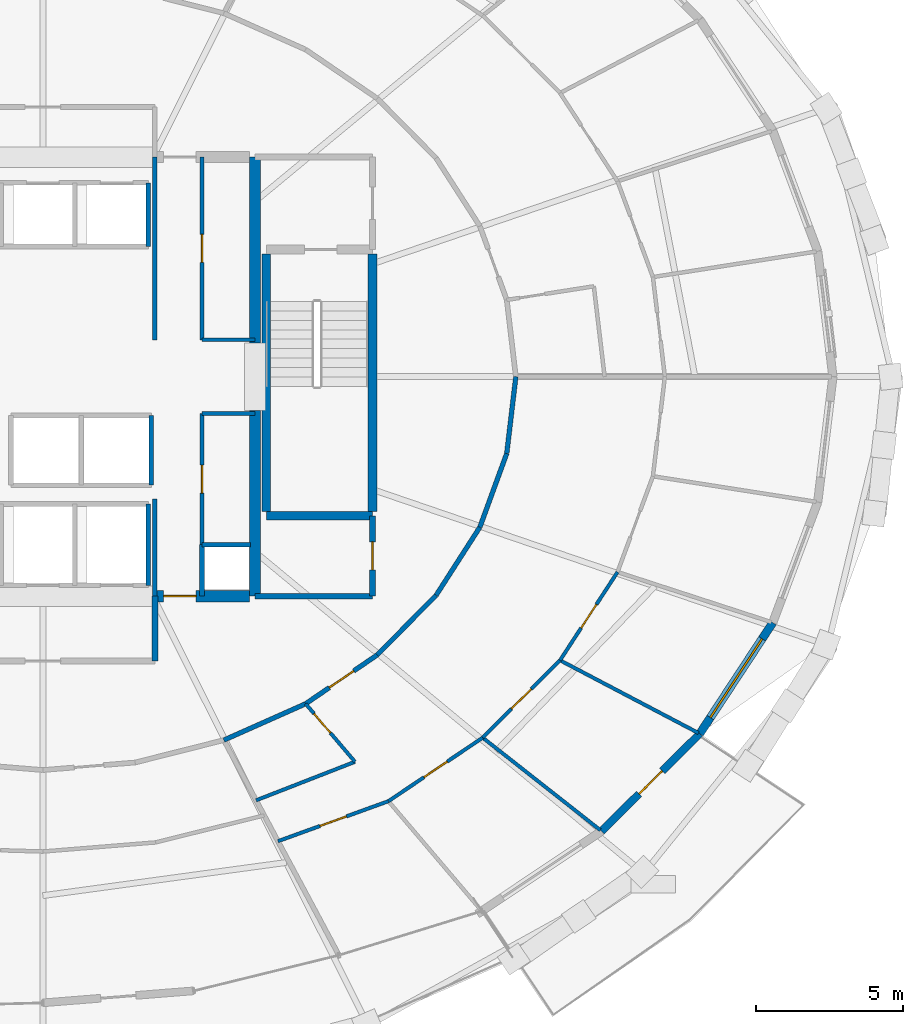
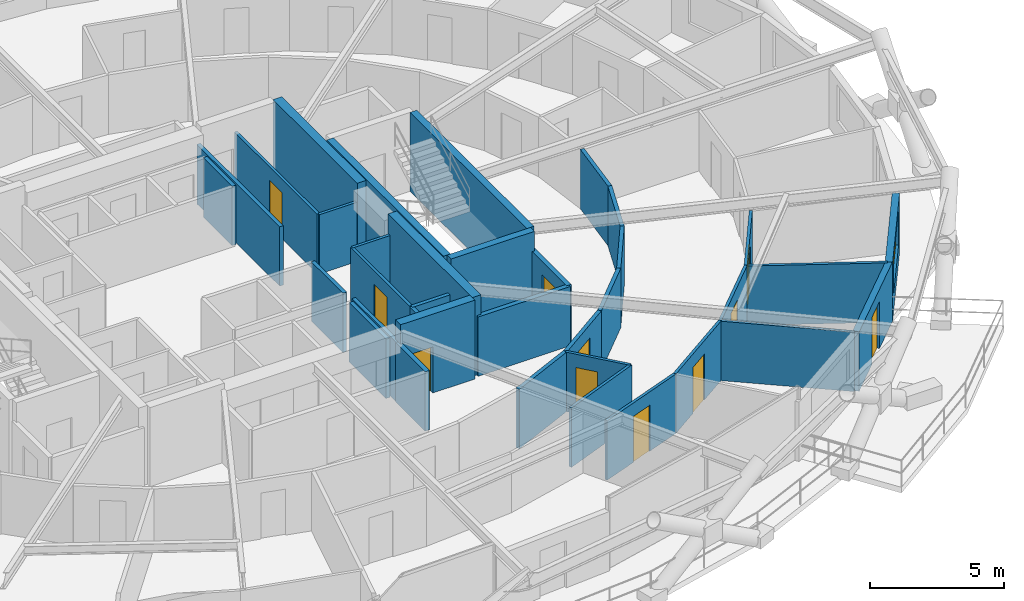
# One storey, part 9 of 14: 36 walls, 11 doors, 1 window, 12 openings.
"""IFC4 building model written with IfcOpenShell, lengths in metres."""

import ifcopenshell
import ifcopenshell.guid

model = None  # the IFC model being written
_history = None  # IfcOwnerHistory: only IFC2X3 demands one
_inside = {}  # id of a spatial element -> (the spatial element, [elements in it])
_under = {}  # id of a project, library or spatial element -> (it, [spatial elements below it])
_declared = {}  # id of a project -> (the project, [libraries it declares])
_typed = {}  # id of a type object -> (the type object, [elements of that type])
_made_of = {}  # id of a material, layer set ... -> (it, [elements and type objects made of it])


def new_model(schema):
    """Start an empty IFC model of exactly this schema.

    Asked for "IFC4X3", IfcOpenShell would pick the latest addendum, in which some entities
    have other attributes; the version numbers below select the first issue.
    IFC2X3 requires an IfcOwnerHistory on every rooted entity: one is made here for all.
    """
    global model, _history
    if schema == "IFC4X3":
        model = ifcopenshell.file(schema_version=(4, 3, 0, 0))
    else:
        model = ifcopenshell.file(schema=schema)
    _inside.clear()
    _under.clear()
    _declared.clear()
    _typed.clear()
    _made_of.clear()
    _history = None
    if model.schema == "IFC2X3":
        org = make("IfcOrganization", Name="unknown")
        user = make(
            "IfcPersonAndOrganization",
            ThePerson=make("IfcPerson", FamilyName="unknown"),
            TheOrganization=org,
        )
        app = make(
            "IfcApplication",
            ApplicationDeveloper=org,
            Version="unknown",
            ApplicationFullName="unknown",
            ApplicationIdentifier="unknown",
        )
        _history = make(
            "IfcOwnerHistory",
            OwningUser=user,
            OwningApplication=app,
            ChangeAction="ADDED",
            CreationDate=0,
        )
    return model


def make(cls, **values):
    """One entity of the class cls with the attributes given. An attribute that is None is left unset."""
    return model.create_entity(
        cls, **{name: value for name, value in values.items() if value is not None}
    )


def rooted(cls, **values):
    """An entity with a GlobalId (a new one), such as an element, a storey or a relation."""
    return make(cls, GlobalId=ifcopenshell.guid.new(), OwnerHistory=_history, **values)


def si_unit(unit_type, name, prefix=None):
    """IfcSIUnit, for example si_unit("LENGTHUNIT", "METRE", prefix="MILLI")."""
    return make("IfcSIUnit", UnitType=unit_type, Prefix=prefix, Name=name)


def assignment(units):
    """IfcUnitAssignment: the units of a project."""
    return None if units is None else make("IfcUnitAssignment", Units=units)


def point(xyz):
    """IfcCartesianPoint."""
    return None if xyz is None else make("IfcCartesianPoint", Coordinates=xyz)


def direction(xyz):
    """IfcDirection."""
    return None if xyz is None else make("IfcDirection", DirectionRatios=xyz)


def frame(location, z_axis=None, x_axis=None):
    """IfcAxis2Placement3D, a coordinate frame: its origin and axes. An axis left out is left unset."""
    return make(
        "IfcAxis2Placement3D",
        Location=point(location),
        Axis=direction(z_axis),
        RefDirection=direction(x_axis),
    )


def frame_2d(location, x_axis=None):
    """IfcAxis2Placement2D, a coordinate frame in the plane: its origin and x axis."""
    return make(
        "IfcAxis2Placement2D", Location=point(location), RefDirection=direction(x_axis)
    )


def origin():
    """The frame at (0, 0, 0) with its axes left unset."""
    return frame((0.0, 0.0, 0.0))


def place(relative_to, where):
    """IfcLocalPlacement: puts the frame where relative to a parent placement (None: the world)."""
    return make(
        "IfcLocalPlacement", PlacementRelTo=relative_to, RelativePlacement=where
    )


def context(
    kind, dimensions, precision=None, world=None, true_north=None, identifier=None
):
    """IfcGeometricRepresentationContext, for example the 3D "Model" context."""
    return make(
        "IfcGeometricRepresentationContext",
        ContextIdentifier=identifier,
        ContextType=kind,
        CoordinateSpaceDimension=dimensions,
        Precision=precision,
        WorldCoordinateSystem=world,
        TrueNorth=true_north,
    )


def subcontext(parent, identifier, kind, view, scale=None):
    """IfcGeometricRepresentationSubContext, for example "Body" below "Model"."""
    return make(
        "IfcGeometricRepresentationSubContext",
        ContextIdentifier=identifier,
        ContextType=kind,
        ParentContext=parent,
        TargetScale=scale,
        TargetView=view,
    )


def project(units=None, contexts=None):
    """IfcProject with its units and contexts."""
    return rooted(
        "IfcProject",
        Name="project",
        RepresentationContexts=contexts,
        UnitsInContext=assignment(units),
    )


def spatial(cls, under=None, at=None, **own):
    """A site, building, storey or space (cls), placed at a placement, below another one or the project."""
    s = rooted(cls, ObjectPlacement=at, **own)
    if under is not None:
        _under.setdefault(under.id(), (under, []))[1].append(s)
    return s


def profile(cls, at=None, kind="AREA", **sizes):
    """A parametric profile (cls). Its sizes go by their IFC names, for example OverallWidth=200.0."""
    return make(cls, ProfileType=kind, Position=at, **sizes)


def rectangle(**sizes):
    """IfcRectangleProfileDef."""
    return profile("IfcRectangleProfileDef", **sizes)


def extrude(swept, where, along, depth):
    """IfcExtrudedAreaSolid: the profile swept, set in the frame where, extruded along a direction by depth."""
    return make(
        "IfcExtrudedAreaSolid",
        SweptArea=swept,
        Position=where,
        ExtrudedDirection=direction(along),
        Depth=depth,
    )


def shape(context_of_items, identifier, shape_type, items):
    """IfcShapeRepresentation: the items that make up one representation, for example the "Body"."""
    return make(
        "IfcShapeRepresentation",
        ContextOfItems=context_of_items,
        RepresentationIdentifier=identifier,
        RepresentationType=shape_type,
        Items=items,
    )


def material(Name=None, Category=None):
    """IfcMaterial."""
    return make("IfcMaterial", Name=Name, Category=Category)


def layer(
    of_material, thickness, ventilated=None, Name=None, Category=None, Priority=None
):
    """IfcMaterialLayer: one layer of a wall or slab, of a material (None: an air gap)."""
    return make(
        "IfcMaterialLayer",
        Material=of_material,
        LayerThickness=thickness,
        IsVentilated=ventilated,
        Name=Name,
        Category=Category,
        Priority=Priority,
    )


def layer_set(layers, Name=None):
    """IfcMaterialLayerSet."""
    return make("IfcMaterialLayerSet", MaterialLayers=layers, LayerSetName=Name)


def made_of(thing, what):
    """Note that an element or type object is made of a material, layer set ...; save() writes the relation."""
    if what is not None:
        _made_of.setdefault(what.id(), (what, []))[1].append(thing)
    return thing


def type_object(cls, material=None, **own):
    """A type object (cls), such as IfcWallType, which elements share."""
    return made_of(rooted(cls, **own), material)


def element(
    cls,
    number,
    at=None,
    inside=None,
    cuts=None,
    type_object=None,
    material=None,
    context=None,
    identifier="Body",
    shape_type=None,
    held_by="IfcProductDefinitionShape",
    body=None,
    shapes=None,
    **own,
):
    """One element of the class cls, such as IfcWall. Its Tag is "e" and its number.

    at: its placement. inside: the storey or other place that contains it. cuts: it is an
    opening in that element (IfcRelVoidsElement). A single representation is given by context,
    identifier, shape_type and body (its items); several are given by shapes. held_by: the class
    of the entity that holds the representations. save() writes the other relations.
    """
    e = rooted(cls, Tag="e%d" % number, ObjectPlacement=at, **own)
    if body is not None:
        shapes = [shape(context, identifier, shape_type, body)]
    if shapes is not None:
        e.Representation = make(held_by, Representations=shapes)
    if inside is not None:
        _inside.setdefault(inside.id(), (inside, []))[1].append(e)
    if cuts is not None:
        rooted(
            "IfcRelVoidsElement", RelatingBuildingElement=cuts, RelatedOpeningElement=e
        )
    if type_object is not None:
        _typed.setdefault(type_object.id(), (type_object, []))[1].append(e)
    return made_of(e, material)


def fill(opening, filler):
    """IfcRelFillsElement: the door or window that sits in an opening."""
    return rooted(
        "IfcRelFillsElement",
        RelatingOpeningElement=opening,
        RelatedBuildingElement=filler,
    )


def aggregate(whole, parts):
    """IfcRelAggregates: a whole, such as a stair, and the parts it consists of."""
    return rooted("IfcRelAggregates", RelatingObject=whole, RelatedObjects=parts)


def save(model, path):
    """Write the relations noted so far, then the file.

    IfcRelAggregates (storeys below a building ...), IfcRelContainedInSpatialStructure (elements
    in a storey), IfcRelDefinesByType, IfcRelAssociatesMaterial and IfcRelDeclares: one each for
    every whole, place, type object, material and project.
    """
    for whole, parts in _under.values():
        aggregate(whole, parts)
    for where, things in _inside.values():
        rooted(
            "IfcRelContainedInSpatialStructure",
            RelatedElements=things,
            RelatingStructure=where,
        )
    for kind, things in _typed.values():
        rooted("IfcRelDefinesByType", RelatedObjects=things, RelatingType=kind)
    for what, things in _made_of.values():
        rooted("IfcRelAssociatesMaterial", RelatedObjects=things, RelatingMaterial=what)
    for by, libraries in _declared.values():
        rooted("IfcRelDeclares", RelatingContext=by, RelatedDefinitions=libraries)
    model.write(path)


model = new_model("IFC4")

# Units and contexts
model_context = context("Model", 3, precision=1e-05, world=origin(), true_north=direction((0.0, 1.0)))
body_context = subcontext(model_context, "Body", "Model", "MODEL_VIEW")
ifc_project = project(units=[si_unit("LENGTHUNIT", "METRE"), si_unit("AREAUNIT", "SQUARE_METRE"), si_unit("VOLUMEUNIT", "CUBIC_METRE"), si_unit("PLANEANGLEUNIT", "RADIAN"), si_unit("MASSUNIT", "GRAM", prefix="KILO")], contexts=[model_context])

# Site, building, storey
site_placement = place(None, origin())
site = spatial("IfcSite", under=ifc_project, at=site_placement, CompositionType="ELEMENT")
building_placement = place(site_placement, origin())
building = spatial("IfcBuilding", under=site, at=building_placement, Name="Veldorina Hangang Commons", CompositionType="ELEMENT")
storey_placement = place(building_placement, frame((0.0, 0.0, 62.800048828125)))
storey = spatial("IfcBuildingStorey", under=building, at=storey_placement, Name="L15", CompositionType="ELEMENT", Elevation=62.800048828125)

# Walls
ifc_material_1 = material(Name="Concrete C70/85", Category="concrete")
ifc_layer_1 = layer(ifc_material_1, 0.3798828125)
ifc_layer_set_1 = layer_set([ifc_layer_1], Name="Concrete C70/85")
wall_type_1 = type_object("IfcWallType", Name="CW-RC380-C70", PredefinedType="SHEAR", material=ifc_layer_set_1)
for number, where, z_axis, x_axis, name in (
    (1, (39.199951171875, 16.550048828125, 0.0), (0.0, 0.0, 1.0), (0.0, 1.0, 0.0), "L15 E south core shear wall"),
    (2, (39.199951171875, 25.14990234375, 0.0), (0.0, 0.0, 1.0), (0.0, 1.0, 0.0), "L15 E north core shear wall"),
):
    element("IfcWall", number, at=place(storey_placement, frame(where, z_axis=z_axis, x_axis=x_axis)), inside=storey, type_object=wall_type_1, Name=name, PredefinedType="SHEAR", context=body_context, shape_type="SweptSolid", body=[
        extrude(rectangle(XDim=6.300048828125, YDim=0.3798828125, at=frame_2d((3.14990234375, 0.0))), origin(), (0.0, 0.0, 1.0), 3.599853515625),
    ])

# Wall, opening, door
wall_1_placement = place(storey_placement, frame((35.800048828125, 16.550048828125, 0.0), z_axis=(0.0, 0.0, 1.0), x_axis=(1.0, 0.0, 0.0)))
wall_1 = element("IfcWall", 3, at=wall_1_placement, inside=storey, type_object=wall_type_1, Name="L15 south-east core shear wall", PredefinedType="SHEAR", context=body_context, shape_type="SweptSolid", body=[
    extrude(rectangle(XDim=3.2099609375, YDim=0.3798828125, at=frame_2d((1.60498046875, 0.0))), origin(), (0.0, 0.0, 1.0), 3.599853515625),
])
opening_1_placement = place(wall_1_placement, frame((0.300048828125, 0.0, 0.0)))
opening_1 = element("IfcOpeningElement", 4, at=opening_1_placement, cuts=wall_1, Name="Opening D-08", PredefinedType="OPENING", context=body_context, shape_type="SweptSolid", body=[
    extrude(rectangle(XDim=1.10009765625, YDim=2.10009765625, at=frame_2d((0.550048828125, 1.050048828125))), frame((0.0, 0.199951171875, 0.0), z_axis=(0.0, -1.0, 0.0), x_axis=(1.0, 0.0, 0.0)), (0.0, 0.0, 1.0), 0.39990234375),
])
ifc_material_2 = material(Name="Steel Fire-Rated Smoke Seal", Category="steel")
door_type_1 = type_object("IfcDoorType", Name="DR-FIRE-1100", OperationType="SINGLE_SWING_RIGHT", PredefinedType="DOOR", material=ifc_material_2)
door_1_placement = place(opening_1_placement, origin())
door_1 = element("IfcDoor", 5, at=door_1_placement, inside=storey, type_object=door_type_1, Name="L15 central lift lobby south corridor door", OperationType="SINGLE_SWING_RIGHT", OverallHeight=2.10009765625, OverallWidth=1.10009765625, PredefinedType="DOOR", context=body_context, shape_type="SweptSolid", body=[
    extrude(rectangle(XDim=1.10009765625, YDim=2.10009765625, at=frame_2d((0.550048828125, 1.050048828125))), frame((0.0, 0.02490234375, 0.0), z_axis=(0.0, -1.0, 0.0), x_axis=(1.0, 0.0, 0.0)), (0.0, 0.0, 1.0), 0.050048828125),
])
fill(opening_1, door_1)

ifc_material_3 = material(Name="Stone Roman Travertine", Category="masonry")
ifc_layer_2 = layer(ifc_material_3, 0.260009765625)
ifc_layer_set_2 = layer_set([ifc_layer_2], Name="Stone Roman Travertine")
wall_type_2 = type_object("IfcWallType", Name="EW-LOGGIA-260", PredefinedType="STANDARD", material=ifc_layer_set_2)
wall_2_placement = place(storey_placement, frame((50.95751953125, 8.577880859375, 0.0), z_axis=(0.0, 0.0, 1.0), x_axis=(0.710194142887, 0.704005880238, 0.0)))
wall_2 = element("IfcWall", 6, at=wall_2_placement, inside=storey, type_object=wall_type_2, Name="L15 sky-garden loggia portal wall 28", PredefinedType="STANDARD", context=body_context, shape_type="SweptSolid", body=[
    extrude(rectangle(XDim=4.69482421875, YDim=0.260009765625, at=frame_2d((2.347412109375, 0.0))), origin(), (0.0, 0.0, 1.0), 2.7099609375),
])
opening_2_placement = place(wall_2_placement, frame((1.79736328125, 0.0, 0.0)))
opening_2 = element("IfcOpeningElement", 7, at=opening_2_placement, cuts=wall_2, Name="Opening BD-1100", PredefinedType="OPENING", context=body_context, shape_type="SweptSolid", body=[
    extrude(rectangle(XDim=1.10009765625, YDim=2.14990234375, at=frame_2d((0.550048828125, 1.074951171875))), frame((0.0, 0.14013671875, 0.0), z_axis=(0.0, -1.0, 0.0), x_axis=(1.0, 0.0, 0.0)), (0.0, 0.0, 1.0), 0.280029296875),
])
ifc_material_4 = material(Name="Glass Thermal Aluminium Frame", Category="aluminium")
door_type_2 = type_object("IfcDoorType", Name="DR-EXT-BAL1100", OperationType="SINGLE_SWING_RIGHT", PredefinedType="DOOR", material=ifc_material_4)
door_2_placement = place(opening_2_placement, origin())
door_2 = element("IfcDoor", 8, at=door_2_placement, inside=storey, type_object=door_type_2, Name="L15 tree balcony glazed exterior door 28", OperationType="SINGLE_SWING_LEFT", OverallHeight=2.14990234375, OverallWidth=1.10009765625, PredefinedType="DOOR", context=body_context, shape_type="SweptSolid", body=[
    extrude(rectangle(XDim=1.10009765625, YDim=2.14990234375, at=frame_2d((0.550048828125, 1.074951171875))), frame((0.0, 0.02490234375, 0.0), z_axis=(0.0, -1.0, 0.0), x_axis=(1.0, 0.0, 0.0)), (0.0, 0.0, 1.0), 0.050048828125),
])
fill(opening_2, door_2)

# Wall, opening, window
ifc_layer_3 = layer(ifc_material_3, 0.280029296875)
ifc_layer_set_3 = layer_set([ifc_layer_3], Name="Stone Roman Travertine")
wall_type_3 = type_object("IfcWallType", Name="EW-TRAV-280", PredefinedType="STANDARD", material=ifc_layer_set_3)
wall_3_placement = place(storey_placement, frame((54.291748046875, 11.883056640625, 0.0), z_axis=(0.0, 0.0, 1.0), x_axis=(0.54914333256, 0.835728185659, 0.0)))
wall_3 = element("IfcWall", 9, at=wall_3_placement, inside=storey, type_object=wall_type_3, Name="L15 travertine facade wall 29", PredefinedType="STANDARD", context=body_context, shape_type="SweptSolid", body=[
    extrude(rectangle(XDim=4.51171875, YDim=0.280029296875, at=frame_2d((2.255859375, 0.0))), origin(), (0.0, 0.0, 1.0), 2.7099609375),
])
opening_3_placement = place(wall_3_placement, frame((0.65576171875, 0.0, 0.800048828125)))
opening_3 = element("IfcOpeningElement", 10, at=opening_3_placement, cuts=wall_3, Name="Opening W-01", PredefinedType="OPENING", context=body_context, shape_type="SweptSolid", body=[
    extrude(rectangle(XDim=3.199951171875, YDim=1.64990234375, at=frame_2d((1.60009765625, 0.824951171875))), frame((0.0, 0.14990234375, 0.0), z_axis=(0.0, -1.0, 0.0), x_axis=(1.0, 0.0, 0.0)), (0.0, 0.0, 1.0), 0.300048828125),
])
ifc_material_5 = material(Name="Glass Low-E Triple IGU", Category="glass")
window_type = type_object("IfcWindowType", Name="WIN-TWR-3200", PartitioningType="SINGLE_PANEL", PredefinedType="WINDOW", material=ifc_material_5)
window_placement = place(opening_3_placement, origin())
window = element("IfcWindow", 11, at=window_placement, inside=storey, type_object=window_type, Name="L15 facade window 29", OverallHeight=1.64990234375, OverallWidth=3.199951171875, PartitioningType="SINGLE_PANEL", PredefinedType="WINDOW", context=body_context, shape_type="SweptSolid", body=[
    extrude(rectangle(XDim=3.199951171875, YDim=1.64990234375, at=frame_2d((1.60009765625, 0.824951171875))), frame((0.0, 0.030029296875, 0.0), z_axis=(0.0, -1.0, 0.0), x_axis=(1.0, 0.0, 0.0)), (0.0, 0.0, 1.0), 0.06005859375),
])
fill(opening_3, window)

# Walls
ifc_material_6 = material(Name="Concrete C50/60", Category="concrete")
ifc_layer_4 = layer(ifc_material_6, 0.300048828125)
ifc_layer_set_4 = layer_set([ifc_layer_4], Name="Concrete C50/60")
wall_type_4 = type_object("IfcWallType", Name="SW-STAIR-300", PredefinedType="SHEAR", material=ifc_layer_set_4)
for number, where, z_axis, x_axis, name in (
    (12, (43.179931640625, 19.429931640625, 0.0), (0.0, 0.0, 1.0), (0.0, 1.0, 0.0), "L15 ST2 outer stair shear wall"),
    (13, (39.580078125, 19.429931640625, 0.0), (0.0, 0.0, 1.0), (0.0, 1.0, 0.0), "L15 ST2 inner stair shear wall"),
):
    element("IfcWall", number, at=place(storey_placement, frame(where, z_axis=z_axis, x_axis=x_axis)), inside=storey, type_object=wall_type_4, Name=name, PredefinedType="SHEAR", context=body_context, shape_type="SweptSolid", body=[
        extrude(rectangle(XDim=8.739990234375, YDim=0.300048828125, at=frame_2d((4.3701171875, 0.0))), origin(), (0.0, 0.0, 1.0), 3.599853515625),
    ])
wall_4_placement = place(storey_placement, frame((39.580078125, 19.280029296875, 0.0), z_axis=(0.0, 0.0, 1.0), x_axis=(1.0, 0.0, 0.0)))
element("IfcWall", 14, at=wall_4_placement, inside=storey, type_object=wall_type_4, Name="L15 ST2 south stair shear wall", PredefinedType="SHEAR", context=body_context, shape_type="SweptSolid", body=[
    extrude(rectangle(XDim=3.599853515625, YDim=0.300048828125, at=frame_2d((1.7998046875, 0.0))), origin(), (0.0, 0.0, 1.0), 3.599853515625),
])
ifc_material_7 = material(Name="Gypsum Fire-Rated Twin Stud Wall", Category="gypsum")
ifc_layer_5 = layer(ifc_material_7, 0.159912109375)
ifc_layer_set_5 = layer_set([ifc_layer_5], Name="Gypsum Fire-Rated Twin Stud Wall")
wall_type_5 = type_object("IfcWallType", Name="WL-FIRE-160", PredefinedType="SOLIDWALL", material=ifc_layer_set_5)
wall_5_placement = place(storey_placement, frame((35.800048828125, 16.550048828125, 0.0), z_axis=(0.0, 0.0, 1.0), x_axis=(0.0, 1.0, 0.0)))
element("IfcWall", 15, at=wall_5_placement, inside=storey, type_object=wall_type_5, Name="L15 Lift passage SW wall 009", PredefinedType="SOLIDWALL", context=body_context, shape_type="SweptSolid", body=[
    extrude(rectangle(XDim=3.300048828125, YDim=0.159912109375, at=frame_2d((1.64990234375, 0.0))), origin(), (0.0, 0.0, 1.0), 2.7099609375),
])
wall_6_placement = place(storey_placement, frame((37.39990234375, 16.550048828125, 0.0), z_axis=(0.0, 0.0, 1.0), x_axis=(0.0, 1.0, 0.0)))
element("IfcWall", 16, at=wall_6_placement, inside=storey, type_object=wall_type_5, Name="L15 Lift passage SE stub 010", PredefinedType="SOLIDWALL", context=body_context, shape_type="SweptSolid", body=[
    extrude(rectangle(XDim=1.75, YDim=0.159912109375, at=frame_2d((0.875, 0.0))), origin(), (0.0, 0.0, 1.0), 2.7099609375),
])
wall_7_placement = place(storey_placement, frame((35.800048828125, 25.25, 0.0), z_axis=(0.0, 0.0, 1.0), x_axis=(0.0, 1.0, 0.0)))
element("IfcWall", 17, at=wall_7_placement, inside=storey, type_object=wall_type_5, Name="L15 Lift passage NW wall 011", PredefinedType="SOLIDWALL", context=body_context, shape_type="SweptSolid", body=[
    extrude(rectangle(XDim=6.199951171875, YDim=0.159912109375, at=frame_2d((3.10009765625, 0.0))), origin(), (0.0, 0.0, 1.0), 2.7099609375),
])
wall_8_placement = place(storey_placement, frame((35.580078125, 28.419921875, 0.0), z_axis=(0.0, 0.0, 1.0), x_axis=(0.0, 1.0, 0.0)))
element("IfcWall", 18, at=wall_8_placement, inside=storey, type_object=wall_type_5, Name="L15 PL-L3 east shaft wall 020", PredefinedType="SOLIDWALL", context=body_context, shape_type="SweptSolid", body=[
    extrude(rectangle(XDim=2.16015625, YDim=0.159912109375, at=frame_2d((1.080078125, 0.0))), origin(), (0.0, 0.0, 1.0), 2.7099609375),
])
wall_9_placement = place(storey_placement, frame((35.679931640625, 20.320068359375, 0.0), z_axis=(0.0, 0.0, 1.0), x_axis=(0.0, 1.0, 0.0)))
element("IfcWall", 19, at=wall_9_placement, inside=storey, type_object=wall_type_5, Name="L15 SL-2 east shaft wall 025", PredefinedType="SOLIDWALL", context=body_context, shape_type="SweptSolid", body=[
    extrude(rectangle(XDim=2.35986328125, YDim=0.159912109375, at=frame_2d((1.179931640625, 0.0))), origin(), (0.0, 0.0, 1.0), 2.7099609375),
])
wall_10_placement = place(storey_placement, frame((35.580078125, 16.919921875, 0.0), z_axis=(0.0, 0.0, 1.0), x_axis=(0.0, 1.0, 0.0)))
element("IfcWall", 20, at=wall_10_placement, inside=storey, type_object=wall_type_5, Name="L15 EVL-1 east shaft wall 031", PredefinedType="SOLIDWALL", context=body_context, shape_type="SweptSolid", body=[
    extrude(rectangle(XDim=2.760009765625, YDim=0.159912109375, at=frame_2d((1.3798828125, 0.0))), origin(), (0.0, 0.0, 1.0), 2.7099609375),
])
wall_11_placement = place(storey_placement, frame((37.39990234375, 18.300048828125, 0.0), z_axis=(0.0, 0.0, 1.0), x_axis=(1.0, 0.0, 0.0)))
element("IfcWall", 21, at=wall_11_placement, inside=storey, type_object=wall_type_5, Name="L15 Plumbing riser wall 037", PredefinedType="SOLIDWALL", context=body_context, shape_type="SweptSolid", body=[
    extrude(rectangle(XDim=1.650146484375, YDim=0.159912109375, at=frame_2d((0.8251953125, 0.0))), origin(), (0.0, 0.0, 1.0), 2.7099609375),
])
wall_12_placement = place(storey_placement, frame((38.14208984375, 11.666259765625, 0.0), z_axis=(0.0, 0.0, 1.0), x_axis=(0.913768445178, 0.406235434936, 0.0)))
element("IfcWall", 22, at=wall_12_placement, inside=storey, type_object=wall_type_5, Name="L15 Corridor outer wall 26 074", PredefinedType="SOLIDWALL", context=body_context, shape_type="SweptSolid", body=[
    extrude(rectangle(XDim=3.036865234375, YDim=0.159912109375, at=frame_2d((1.5185546875, 0.0))), origin(), (0.0, 0.0, 1.0), 2.7099609375),
])

# Wall, opening, door
wall_13_placement = place(storey_placement, frame((40.9169921875, 12.89990234375, 0.0), z_axis=(0.0, 0.0, 1.0), x_axis=(0.825929039072, 0.563774088104, 0.0)))
wall_13 = element("IfcWall", 23, at=wall_13_placement, inside=storey, type_object=wall_type_5, Name="L15 Corridor outer wall 27 075", PredefinedType="SOLIDWALL", context=body_context, shape_type="SweptSolid", body=[
    extrude(rectangle(XDim=2.94482421875, YDim=0.159912109375, at=frame_2d((1.472412109375, 0.0))), origin(), (0.0, 0.0, 1.0), 2.7099609375),
])
opening_4_placement = place(wall_13_placement, frame((0.972412109375, 0.0, 0.0)))
opening_4 = element("IfcOpeningElement", 24, at=opening_4_placement, cuts=wall_13, Name="Opening D-06", PredefinedType="OPENING", context=body_context, shape_type="SweptSolid", body=[
    extrude(rectangle(XDim=1.0, YDim=2.10009765625, at=frame_2d((0.5, 1.050048828125))), frame((0.0, 0.08984375, 0.0), z_axis=(0.0, -1.0, 0.0), x_axis=(1.0, 0.0, 0.0)), (0.0, 0.0, 1.0), 0.179931640625),
])
ifc_material_8 = material(Name="Timber Fire-Rated Entrance Core", Category="wood")
door_type_3 = type_object("IfcDoorType", Name="DR-UNIT-1000", OperationType="SINGLE_SWING_LEFT", PredefinedType="DOOR", material=ifc_material_8)
door_3_placement = place(opening_4_placement, origin())
door_3 = element("IfcDoor", 25, at=door_3_placement, inside=storey, type_object=door_type_3, Name="L15 Cluster 2 entrance door 023", OperationType="SINGLE_SWING_LEFT", OverallHeight=2.10009765625, OverallWidth=1.0, PredefinedType="DOOR", context=body_context, shape_type="SweptSolid", body=[
    extrude(rectangle(XDim=1.0, YDim=2.10009765625, at=frame_2d((0.5, 1.050048828125))), frame((0.0, 0.02490234375, 0.0), z_axis=(0.0, -1.0, 0.0), x_axis=(1.0, 0.0, 0.0)), (0.0, 0.0, 1.0), 0.050048828125),
])
fill(opening_4, door_3)

# Walls
wall_14_placement = place(storey_placement, frame((43.34912109375, 14.56005859375, 0.0), z_axis=(0.0, 0.0, 1.0), x_axis=(0.702366174226, 0.711815816981, 0.0)))
element("IfcWall", 26, at=wall_14_placement, inside=storey, type_object=wall_type_5, Name="L15 Corridor outer wall 28 076", PredefinedType="SOLIDWALL", context=body_context, shape_type="SweptSolid", body=[
    extrude(rectangle(XDim=2.842041015625, YDim=0.159912109375, at=frame_2d((1.4208984375, 0.0))), origin(), (0.0, 0.0, 1.0), 2.7099609375),
])
wall_15_placement = place(storey_placement, frame((45.34521484375, 16.5830078125, 0.0), z_axis=(0.0, 0.0, 1.0), x_axis=(0.540595670038, 0.841282545603, 0.0)))
element("IfcWall", 27, at=wall_15_placement, inside=storey, type_object=wall_type_5, Name="L15 Corridor outer wall 29 077", PredefinedType="SOLIDWALL", context=body_context, shape_type="SweptSolid", body=[
    extrude(rectangle(XDim=2.74365234375, YDim=0.159912109375, at=frame_2d((1.371826171875, 0.0))), origin(), (0.0, 0.0, 1.0), 2.7099609375),
])
wall_16_placement = place(storey_placement, frame((46.828369140625, 18.89111328125, 0.0), z_axis=(0.0, 0.0, 1.0), x_axis=(0.342617982381, 0.939474809747, 0.0)))
element("IfcWall", 28, at=wall_16_placement, inside=storey, type_object=wall_type_5, Name="L15 Corridor outer wall 30 078", PredefinedType="SOLIDWALL", context=body_context, shape_type="SweptSolid", body=[
    extrude(rectangle(XDim=2.665771484375, YDim=0.159912109375, at=frame_2d((1.3330078125, 0.0))), origin(), (0.0, 0.0, 1.0), 2.7099609375),
])
wall_17_placement = place(storey_placement, frame((47.74169921875, 21.3955078125, 0.0), z_axis=(0.0, 0.0, 1.0), x_axis=(0.117570353762, 0.993064555765, 0.0)))
element("IfcWall", 29, at=wall_17_placement, inside=storey, type_object=wall_type_5, Name="L15 Corridor outer wall 31 079", PredefinedType="SOLIDWALL", context=body_context, shape_type="SweptSolid", body=[
    extrude(rectangle(XDim=2.622802734375, YDim=0.159912109375, at=frame_2d((1.3115234375, 0.0))), origin(), (0.0, 0.0, 1.0), 2.7099609375),
])

# Wall, opening, door
ifc_material_9 = material(Name="Concrete Blockwork Fire Wall C30/37", Category="masonry")
ifc_layer_6 = layer(ifc_material_9, 0.199951171875)
ifc_layer_set_6 = layer_set([ifc_layer_6], Name="Concrete Blockwork Fire Wall C30/37")
wall_type_6 = type_object("IfcWallType", Name="WL-FIRE-200", PredefinedType="SOLIDWALL", material=ifc_layer_set_6)
wall_18_placement = place(storey_placement, frame((43.179931640625, 16.550048828125, 0.0), z_axis=(0.0, 0.0, 1.0), x_axis=(0.0, 1.0, 0.0)))
wall_18 = element("IfcWall", 30, at=wall_18_placement, inside=storey, type_object=wall_type_6, Name="L15 SE core room outer wall 007", PredefinedType="SOLIDWALL", context=body_context, shape_type="SweptSolid", body=[
    extrude(rectangle(XDim=2.72998046875, YDim=0.199951171875, at=frame_2d((1.364990234375, 0.0))), origin(), (0.0, 0.0, 1.0), 2.7099609375),
])
opening_5_placement = place(wall_18_placement, frame((0.889892578125, 0.0, 0.0)))
opening_5 = element("IfcOpeningElement", 31, at=opening_5_placement, cuts=wall_18, Name="Opening D-02", PredefinedType="OPENING", context=body_context, shape_type="SweptSolid", body=[
    extrude(rectangle(XDim=0.949951171875, YDim=2.10009765625, at=frame_2d((0.47509765625, 1.050048828125))), frame((0.0, 0.10986328125, 0.0), z_axis=(0.0, -1.0, 0.0), x_axis=(1.0, 0.0, 0.0)), (0.0, 0.0, 1.0), 0.219970703125),
])
ifc_material_10 = material(Name="Timber Solid Core Acoustic", Category="wood")
door_type_4 = type_object("IfcDoorType", Name="DR-INT-950", OperationType="SINGLE_SWING_LEFT", PredefinedType="DOOR", material=ifc_material_10)
door_4_placement = place(opening_5_placement, origin())
door_4 = element("IfcDoor", 32, at=door_4_placement, inside=storey, type_object=door_type_4, Name="L15 SE core WC door 004", OperationType="SINGLE_SWING_RIGHT", OverallHeight=2.10009765625, OverallWidth=0.949951171875, PredefinedType="DOOR", context=body_context, shape_type="SweptSolid", body=[
    extrude(rectangle(XDim=0.949951171875, YDim=2.10009765625, at=frame_2d((0.47509765625, 1.050048828125))), frame((0.0, 0.02490234375, 0.0), z_axis=(0.0, -1.0, 0.0), x_axis=(1.0, 0.0, 0.0)), (0.0, 0.0, 1.0), 0.050048828125),
])
fill(opening_5, door_4)

# Walls
wall_19_placement = place(storey_placement, frame((39.199951171875, 16.550048828125, 0.0), z_axis=(0.0, 0.0, 1.0), x_axis=(1.0, 0.0, 0.0)))
element("IfcWall", 33, at=wall_19_placement, inside=storey, type_object=wall_type_6, Name="L15 SE core room south wall 008", PredefinedType="SOLIDWALL", context=body_context, shape_type="SweptSolid", body=[
    extrude(rectangle(XDim=3.97998046875, YDim=0.199951171875, at=frame_2d((1.989990234375, 0.0))), origin(), (0.0, 0.0, 1.0), 2.7099609375),
])
wall_20_placement = place(storey_placement, frame((35.800048828125, 14.35009765625, 0.0), z_axis=(0.0, 0.0, 1.0), x_axis=(0.0, 1.0, 0.0)))
element("IfcWall", 34, at=wall_20_placement, inside=storey, type_object=wall_type_6, Name="L15 FF lobby east wall 013", PredefinedType="SOLIDWALL", context=body_context, shape_type="SweptSolid", body=[
    extrude(rectangle(XDim=2.199951171875, YDim=0.199951171875, at=frame_2d((1.10009765625, 0.0))), origin(), (0.0, 0.0, 1.0), 2.7099609375),
])

# Wall, opening, door
ifc_material_11 = material(Name="Gypsum Acoustic Stud Partition", Category="gypsum")
ifc_layer_7 = layer(ifc_material_11, 0.1201171875)
ifc_layer_set_7 = layer_set([ifc_layer_7], Name="Gypsum Acoustic Stud Partition")
wall_type_7 = type_object("IfcWallType", Name="WL-PART-120", PredefinedType="PARTITIONING", material=ifc_layer_set_7)
wall_21_placement = place(storey_placement, frame((37.39990234375, 25.25, 0.0), z_axis=(0.0, 0.0, 1.0), x_axis=(0.0, 1.0, 0.0)))
wall_21 = element("IfcWall", 35, at=wall_21_placement, inside=storey, type_object=wall_type_7, Name="L15 NE strip lobby wall 041", PredefinedType="PARTITIONING", context=body_context, shape_type="SweptSolid", body=[
    extrude(rectangle(XDim=6.199951171875, YDim=0.1201171875, at=frame_2d((3.10009765625, 0.0))), origin(), (0.0, 0.0, 1.0), 2.7099609375),
])
opening_6_placement = place(wall_21_placement, frame((2.625, 0.0, 0.0)))
opening_6 = element("IfcOpeningElement", 36, at=opening_6_placement, cuts=wall_21, Name="Opening D-02", PredefinedType="OPENING", context=body_context, shape_type="SweptSolid", body=[
    extrude(rectangle(XDim=0.949951171875, YDim=2.10009765625, at=frame_2d((0.47509765625, 1.050048828125))), frame((0.0, 0.070068359375, 0.0), z_axis=(0.0, -1.0, 0.0), x_axis=(1.0, 0.0, 0.0)), (0.0, 0.0, 1.0), 0.14013671875),
])
door_5_placement = place(opening_6_placement, origin())
door_5 = element("IfcDoor", 37, at=door_5_placement, inside=storey, type_object=door_type_4, Name="L15 Switchboard door 018", OperationType="SINGLE_SWING_RIGHT", OverallHeight=2.10009765625, OverallWidth=0.949951171875, PredefinedType="DOOR", context=body_context, shape_type="SweptSolid", body=[
    extrude(rectangle(XDim=0.949951171875, YDim=2.10009765625, at=frame_2d((0.47509765625, 1.050048828125))), frame((0.0, 0.02490234375, 0.0), z_axis=(0.0, -1.0, 0.0), x_axis=(1.0, 0.0, 0.0)), (0.0, 0.0, 1.0), 0.050048828125),
])
fill(opening_6, door_5)

# Wall
wall_22_placement = place(storey_placement, frame((37.39990234375, 25.25, 0.0), z_axis=(0.0, 0.0, 1.0), x_axis=(1.0, 0.0, 0.0)))
element("IfcWall", 38, at=wall_22_placement, inside=storey, type_object=wall_type_7, Name="L15 NE strip south return wall 042", PredefinedType="PARTITIONING", context=body_context, shape_type="SweptSolid", body=[
    extrude(rectangle(XDim=1.800048828125, YDim=0.1201171875, at=frame_2d((0.89990234375, 0.0))), origin(), (0.0, 0.0, 1.0), 2.7099609375),
])

# Wall, opening, door
wall_23_placement = place(storey_placement, frame((37.39990234375, 18.300048828125, 0.0), z_axis=(0.0, 0.0, 1.0), x_axis=(0.0, 1.0, 0.0)))
wall_23 = element("IfcWall", 39, at=wall_23_placement, inside=storey, type_object=wall_type_7, Name="L15 SE strip lobby wall 043", PredefinedType="PARTITIONING", context=body_context, shape_type="SweptSolid", body=[
    extrude(rectangle(XDim=4.449951171875, YDim=0.1201171875, at=frame_2d((2.22509765625, 0.0))), origin(), (0.0, 0.0, 1.0), 2.7099609375),
])
opening_7_placement = place(wall_23_placement, frame((1.75, 0.0, 0.0)))
opening_7 = element("IfcOpeningElement", 40, at=opening_7_placement, cuts=wall_23, Name="Opening D-02", PredefinedType="OPENING", context=body_context, shape_type="SweptSolid", body=[
    extrude(rectangle(XDim=0.949951171875, YDim=2.10009765625, at=frame_2d((0.47509765625, 1.050048828125))), frame((0.0, 0.070068359375, 0.0), z_axis=(0.0, -1.0, 0.0), x_axis=(1.0, 0.0, 0.0)), (0.0, 0.0, 1.0), 0.14013671875),
])
door_6_placement = place(opening_7_placement, origin())
door_6 = element("IfcDoor", 41, at=door_6_placement, inside=storey, type_object=door_type_4, Name="L15 Telemetry door 019", OperationType="SINGLE_SWING_LEFT", OverallHeight=2.10009765625, OverallWidth=0.949951171875, PredefinedType="DOOR", context=body_context, shape_type="SweptSolid", body=[
    extrude(rectangle(XDim=0.949951171875, YDim=2.10009765625, at=frame_2d((0.47509765625, 1.050048828125))), frame((0.0, 0.02490234375, 0.0), z_axis=(0.0, -1.0, 0.0), x_axis=(1.0, 0.0, 0.0)), (0.0, 0.0, 1.0), 0.050048828125),
])
fill(opening_7, door_6)

# Walls
wall_24_placement = place(storey_placement, frame((37.39990234375, 22.75, 0.0), z_axis=(0.0, 0.0, 1.0), x_axis=(1.0, 0.0, 0.0)))
element("IfcWall", 42, at=wall_24_placement, inside=storey, type_object=wall_type_7, Name="L15 SE strip north return wall 044", PredefinedType="PARTITIONING", context=body_context, shape_type="SweptSolid", body=[
    extrude(rectangle(XDim=1.800048828125, YDim=0.1201171875, at=frame_2d((0.89990234375, 0.0))), origin(), (0.0, 0.0, 1.0), 2.7099609375),
])
wall_25_placement = place(storey_placement, frame((39.235107421875, 9.62255859375, 0.0), z_axis=(0.0, 0.0, 1.0), x_axis=(0.931735992912, 0.363136392436, 0.0)))
element("IfcWall", 43, at=wall_25_placement, inside=storey, type_object=wall_type_7, Name="L15 Cluster 2 bath front wall 085", PredefinedType="PARTITIONING", context=body_context, shape_type="SweptSolid", body=[
    extrude(rectangle(XDim=3.6015625, YDim=0.1201171875, at=frame_2d((1.80078125, 0.0))), origin(), (0.0, 0.0, 1.0), 2.7099609375),
])

# Wall, opening, door
wall_26_placement = place(storey_placement, frame((40.9169921875, 12.89990234375, 0.0), z_axis=(0.0, 0.0, 1.0), x_axis=(0.647596323354, -0.761983596922, 0.0)))
wall_26 = element("IfcWall", 44, at=wall_26_placement, inside=storey, type_object=wall_type_7, Name="L15 Cluster 2 bath side wall 086", PredefinedType="PARTITIONING", context=body_context, shape_type="SweptSolid", body=[
    extrude(rectangle(XDim=2.584716796875, YDim=0.1201171875, at=frame_2d((1.29248046875, 0.0))), origin(), (0.0, 0.0, 1.0), 2.7099609375),
])
opening_8_placement = place(wall_26_placement, frame((0.43994140625, 0.0, 0.0)))
opening_8 = element("IfcOpeningElement", 45, at=opening_8_placement, cuts=wall_26, Name="Opening D-01", PredefinedType="OPENING", context=body_context, shape_type="SweptSolid", body=[
    extrude(rectangle(XDim=0.860107421875, YDim=2.10009765625, at=frame_2d((0.43017578125, 1.050048828125))), frame((0.0, 0.070068359375, 0.0), z_axis=(0.0, -1.0, 0.0), x_axis=(1.0, 0.0, 0.0)), (0.0, 0.0, 1.0), 0.14013671875),
])
ifc_material_12 = material(Name="Timber Moisture-Resistant Core", Category="wood")
door_type_5 = type_object("IfcDoorType", Name="DR-WET-860", OperationType="SINGLE_SWING_LEFT", PredefinedType="DOOR", material=ifc_material_12)
door_7_placement = place(opening_8_placement, origin())
door_7 = element("IfcDoor", 46, at=door_7_placement, inside=storey, type_object=door_type_5, Name="L15 Cluster 2 shared bathroom door 022", OperationType="SINGLE_SWING_RIGHT", OverallHeight=2.10009765625, OverallWidth=0.860107421875, PredefinedType="DOOR", context=body_context, shape_type="SweptSolid", body=[
    extrude(rectangle(XDim=0.860107421875, YDim=2.10009765625, at=frame_2d((0.43017578125, 1.050048828125))), frame((0.0, 0.02490234375, 0.0), z_axis=(0.0, -1.0, 0.0), x_axis=(1.0, 0.0, 0.0)), (0.0, 0.0, 1.0), 0.050048828125),
])
fill(opening_8, door_7)

wall_27_placement = place(storey_placement, frame((39.976806640625, 8.23583984375, 0.0), z_axis=(0.0, 0.0, 1.0), x_axis=(0.940246590135, 0.340494272696, 0.0)))
wall_27 = element("IfcWall", 47, at=wall_27_placement, inside=storey, type_object=wall_type_7, Name="L15 Cluster 2 bed 1 front wall 087", PredefinedType="PARTITIONING", context=body_context, shape_type="SweptSolid", body=[
    extrude(rectangle(XDim=3.988037109375, YDim=0.1201171875, at=frame_2d((1.994140625, 0.0))), origin(), (0.0, 0.0, 1.0), 2.7099609375),
])
opening_9_placement = place(wall_27_placement, frame((1.51904296875, 0.0, 0.0)))
opening_9 = element("IfcOpeningElement", 48, at=opening_9_placement, cuts=wall_27, Name="Opening D-02", PredefinedType="OPENING", context=body_context, shape_type="SweptSolid", body=[
    extrude(rectangle(XDim=0.949951171875, YDim=2.10009765625, at=frame_2d((0.47509765625, 1.050048828125))), frame((0.0, 0.070068359375, 0.0), z_axis=(0.0, -1.0, 0.0), x_axis=(1.0, 0.0, 0.0)), (0.0, 0.0, 1.0), 0.14013671875),
])
door_8_placement = place(opening_9_placement, origin())
door_8 = element("IfcDoor", 49, at=door_8_placement, inside=storey, type_object=door_type_4, Name="L15 Cluster 2 bed 1 door 024", OperationType="SINGLE_SWING_RIGHT", OverallHeight=2.10009765625, OverallWidth=0.949951171875, PredefinedType="DOOR", context=body_context, shape_type="SweptSolid", body=[
    extrude(rectangle(XDim=0.949951171875, YDim=2.10009765625, at=frame_2d((0.47509765625, 1.050048828125))), frame((0.0, 0.02490234375, 0.0), z_axis=(0.0, -1.0, 0.0), x_axis=(1.0, 0.0, 0.0)), (0.0, 0.0, 1.0), 0.050048828125),
])
fill(opening_9, door_8)

wall_28_placement = place(storey_placement, frame((43.7265625, 9.59375, 0.0), z_axis=(0.0, 0.0, 1.0), x_axis=(0.829352517657, 0.558725694286, 0.0)))
wall_28 = element("IfcWall", 50, at=wall_28_placement, inside=storey, type_object=wall_type_7, Name="L15 Cluster 2 bed 2 front wall 088", PredefinedType="PARTITIONING", context=body_context, shape_type="SweptSolid", body=[
    extrude(rectangle(XDim=3.856689453125, YDim=0.1201171875, at=frame_2d((1.92822265625, 0.0))), origin(), (0.0, 0.0, 1.0), 2.7099609375),
])
opening_10_placement = place(wall_28_placement, frame((1.453369140625, 0.0, 0.0)))
opening_10 = element("IfcOpeningElement", 51, at=opening_10_placement, cuts=wall_28, Name="Opening D-02", PredefinedType="OPENING", context=body_context, shape_type="SweptSolid", body=[
    extrude(rectangle(XDim=0.949951171875, YDim=2.10009765625, at=frame_2d((0.47509765625, 1.050048828125))), frame((0.0, 0.070068359375, 0.0), z_axis=(0.0, -1.0, 0.0), x_axis=(1.0, 0.0, 0.0)), (0.0, 0.0, 1.0), 0.14013671875),
])
door_9_placement = place(opening_10_placement, origin())
door_9 = element("IfcDoor", 52, at=door_9_placement, inside=storey, type_object=door_type_4, Name="L15 Cluster 2 bed 2 door 025", OperationType="SINGLE_SWING_LEFT", OverallHeight=2.10009765625, OverallWidth=0.949951171875, PredefinedType="DOOR", context=body_context, shape_type="SweptSolid", body=[
    extrude(rectangle(XDim=0.949951171875, YDim=2.10009765625, at=frame_2d((0.47509765625, 1.050048828125))), frame((0.0, 0.02490234375, 0.0), z_axis=(0.0, -1.0, 0.0), x_axis=(1.0, 0.0, 0.0)), (0.0, 0.0, 1.0), 0.050048828125),
])
fill(opening_10, door_9)

wall_29_placement = place(storey_placement, frame((46.925048828125, 11.74853515625, 0.0), z_axis=(0.0, 0.0, 1.0), x_axis=(0.707041019105, 0.707172537152, 0.0)))
wall_29 = element("IfcWall", 53, at=wall_29_placement, inside=storey, type_object=wall_type_7, Name="L15 Cluster 2 bed 3 front wall 090", PredefinedType="PARTITIONING", context=body_context, shape_type="SweptSolid", body=[
    extrude(rectangle(XDim=3.712646484375, YDim=0.1201171875, at=frame_2d((1.8564453125, 0.0))), origin(), (0.0, 0.0, 1.0), 2.7099609375),
])
opening_11_placement = place(wall_29_placement, frame((1.38134765625, 0.0, 0.0)))
opening_11 = element("IfcOpeningElement", 54, at=opening_11_placement, cuts=wall_29, Name="Opening D-02", PredefinedType="OPENING", context=body_context, shape_type="SweptSolid", body=[
    extrude(rectangle(XDim=0.949951171875, YDim=2.10009765625, at=frame_2d((0.47509765625, 1.050048828125))), frame((0.0, 0.070068359375, 0.0), z_axis=(0.0, -1.0, 0.0), x_axis=(1.0, 0.0, 0.0)), (0.0, 0.0, 1.0), 0.14013671875),
])
door_10_placement = place(opening_11_placement, origin())
door_10 = element("IfcDoor", 55, at=door_10_placement, inside=storey, type_object=door_type_4, Name="L15 Cluster 2 bed 3 door 026", OperationType="SINGLE_SWING_RIGHT", OverallHeight=2.10009765625, OverallWidth=0.949951171875, PredefinedType="DOOR", context=body_context, shape_type="SweptSolid", body=[
    extrude(rectangle(XDim=0.949951171875, YDim=2.10009765625, at=frame_2d((0.47509765625, 1.050048828125))), frame((0.0, 0.02490234375, 0.0), z_axis=(0.0, -1.0, 0.0), x_axis=(1.0, 0.0, 0.0)), (0.0, 0.0, 1.0), 0.050048828125),
])
fill(opening_11, door_10)

# Wall
wall_30_placement = place(storey_placement, frame((46.925048828125, 11.74853515625, 0.0), z_axis=(0.0, 0.0, 1.0), x_axis=(0.786111489239, -0.618084724359, 0.0)))
element("IfcWall", 56, at=wall_30_placement, inside=storey, type_object=wall_type_7, Name="L15 Cluster 2 bed divider 2 091", PredefinedType="PARTITIONING", context=body_context, shape_type="SweptSolid", body=[
    extrude(rectangle(XDim=5.07958984375, YDim=0.1201171875, at=frame_2d((2.539794921875, 0.0))), origin(), (0.0, 0.0, 1.0), 2.7099609375),
])

# Wall, opening, door
wall_31_placement = place(storey_placement, frame((49.550048828125, 14.3740234375, 0.0), z_axis=(0.0, 0.0, 1.0), x_axis=(0.545667594134, 0.838001716414, 0.0)))
wall_31 = element("IfcWall", 57, at=wall_31_placement, inside=storey, type_object=wall_type_7, Name="L15 Cluster 2 bed 4 front wall 092", PredefinedType="PARTITIONING", context=body_context, shape_type="SweptSolid", body=[
    extrude(rectangle(XDim=3.574462890625, YDim=0.1201171875, at=frame_2d((1.787109375, 0.0))), origin(), (0.0, 0.0, 1.0), 2.7099609375),
])
opening_12_placement = place(wall_31_placement, frame((1.312255859375, 0.0, 0.0)))
opening_12 = element("IfcOpeningElement", 58, at=opening_12_placement, cuts=wall_31, Name="Opening D-02", PredefinedType="OPENING", context=body_context, shape_type="SweptSolid", body=[
    extrude(rectangle(XDim=0.949951171875, YDim=2.10009765625, at=frame_2d((0.47509765625, 1.050048828125))), frame((0.0, 0.070068359375, 0.0), z_axis=(0.0, -1.0, 0.0), x_axis=(1.0, 0.0, 0.0)), (0.0, 0.0, 1.0), 0.14013671875),
])
door_11_placement = place(opening_12_placement, origin())
door_11 = element("IfcDoor", 59, at=door_11_placement, inside=storey, type_object=door_type_4, Name="L15 Cluster 2 bed 4 door 027", OperationType="SINGLE_SWING_LEFT", OverallHeight=2.10009765625, OverallWidth=0.949951171875, PredefinedType="DOOR", context=body_context, shape_type="SweptSolid", body=[
    extrude(rectangle(XDim=0.949951171875, YDim=2.10009765625, at=frame_2d((0.47509765625, 1.050048828125))), frame((0.0, 0.02490234375, 0.0), z_axis=(0.0, -1.0, 0.0), x_axis=(1.0, 0.0, 0.0)), (0.0, 0.0, 1.0), 0.050048828125),
])
fill(opening_12, door_11)

# Wall
wall_32_placement = place(storey_placement, frame((49.550048828125, 14.3740234375, 0.0), z_axis=(0.0, 0.0, 1.0), x_axis=(0.885275261797, -0.465067426134, 0.0)))
element("IfcWall", 60, at=wall_32_placement, inside=storey, type_object=wall_type_7, Name="L15 Cluster 2 bed divider 3 093", PredefinedType="PARTITIONING", context=body_context, shape_type="SweptSolid", body=[
    extrude(rectangle(XDim=5.30615234375, YDim=0.1201171875, at=frame_2d((2.653076171875, 0.0))), origin(), (0.0, 0.0, 1.0), 2.7099609375),
])

save(model, "model.ifc")
